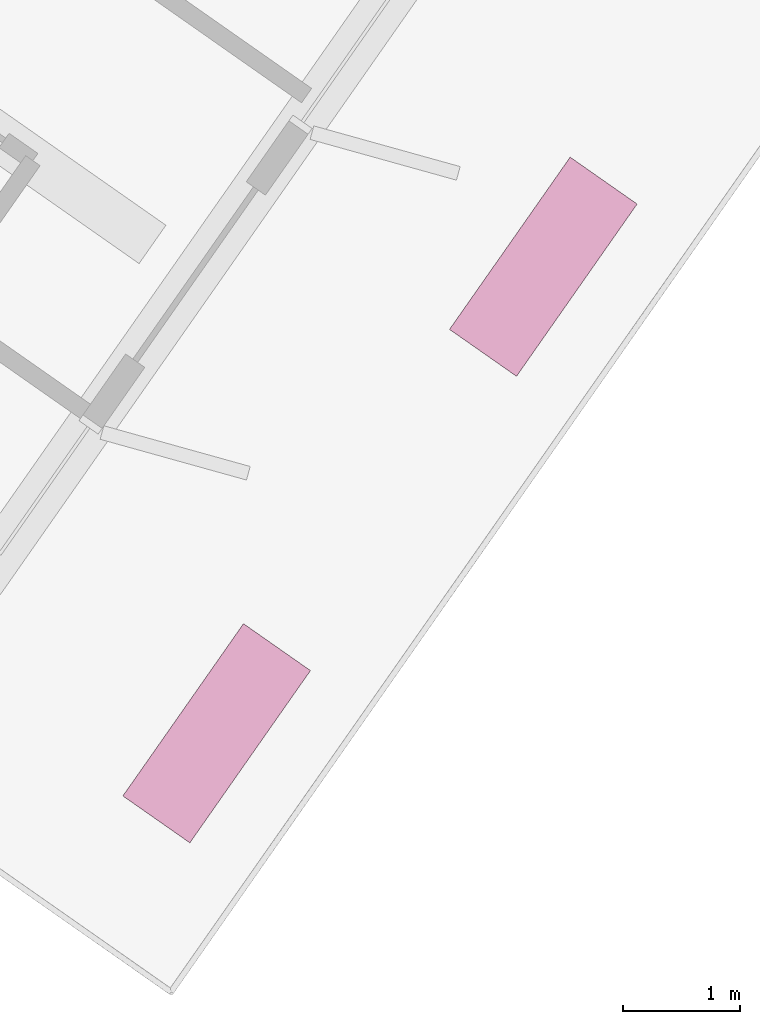
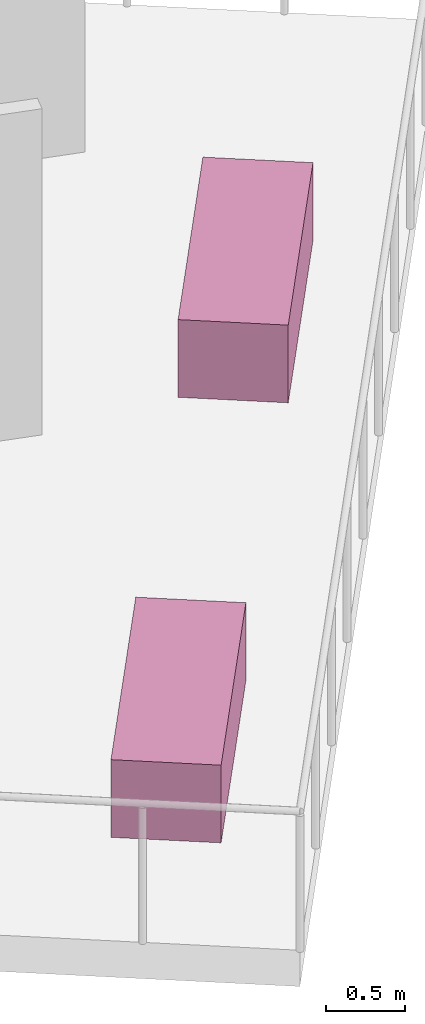
# One storey, part 18 of 18: 2 furniture elements.
"""IFC4 building model written with IfcOpenShell, lengths in metres."""

import ifcopenshell
import ifcopenshell.guid

model = None  # the IFC model being written
_history = None  # IfcOwnerHistory: only IFC2X3 demands one
_inside = {}  # id of a spatial element -> (the spatial element, [elements in it])
_under = {}  # id of a project, library or spatial element -> (it, [spatial elements below it])
_declared = {}  # id of a project -> (the project, [libraries it declares])
_typed = {}  # id of a type object -> (the type object, [elements of that type])
_made_of = {}  # id of a material, layer set ... -> (it, [elements and type objects made of it])


def new_model(schema):
    """Start an empty IFC model of exactly this schema.

    Asked for "IFC4X3", IfcOpenShell would pick the latest addendum, in which some entities
    have other attributes; the version numbers below select the first issue.
    IFC2X3 requires an IfcOwnerHistory on every rooted entity: one is made here for all.
    """
    global model, _history
    if schema == "IFC4X3":
        model = ifcopenshell.file(schema_version=(4, 3, 0, 0))
    else:
        model = ifcopenshell.file(schema=schema)
    _inside.clear()
    _under.clear()
    _declared.clear()
    _typed.clear()
    _made_of.clear()
    _history = None
    if model.schema == "IFC2X3":
        org = make("IfcOrganization", Name="unknown")
        user = make(
            "IfcPersonAndOrganization",
            ThePerson=make("IfcPerson", FamilyName="unknown"),
            TheOrganization=org,
        )
        app = make(
            "IfcApplication",
            ApplicationDeveloper=org,
            Version="unknown",
            ApplicationFullName="unknown",
            ApplicationIdentifier="unknown",
        )
        _history = make(
            "IfcOwnerHistory",
            OwningUser=user,
            OwningApplication=app,
            ChangeAction="ADDED",
            CreationDate=0,
        )
    return model


def make(cls, **values):
    """One entity of the class cls with the attributes given. An attribute that is None is left unset."""
    return model.create_entity(
        cls, **{name: value for name, value in values.items() if value is not None}
    )


def rooted(cls, **values):
    """An entity with a GlobalId (a new one), such as an element, a storey or a relation."""
    return make(cls, GlobalId=ifcopenshell.guid.new(), OwnerHistory=_history, **values)


def si_unit(unit_type, name, prefix=None):
    """IfcSIUnit, for example si_unit("LENGTHUNIT", "METRE", prefix="MILLI")."""
    return make("IfcSIUnit", UnitType=unit_type, Prefix=prefix, Name=name)


def assignment(units):
    """IfcUnitAssignment: the units of a project."""
    return None if units is None else make("IfcUnitAssignment", Units=units)


def point(xyz):
    """IfcCartesianPoint."""
    return None if xyz is None else make("IfcCartesianPoint", Coordinates=xyz)


def direction(xyz):
    """IfcDirection."""
    return None if xyz is None else make("IfcDirection", DirectionRatios=xyz)


def frame(location, z_axis=None, x_axis=None):
    """IfcAxis2Placement3D, a coordinate frame: its origin and axes. An axis left out is left unset."""
    return make(
        "IfcAxis2Placement3D",
        Location=point(location),
        Axis=direction(z_axis),
        RefDirection=direction(x_axis),
    )


def frame_2d(location, x_axis=None):
    """IfcAxis2Placement2D, a coordinate frame in the plane: its origin and x axis."""
    return make(
        "IfcAxis2Placement2D", Location=point(location), RefDirection=direction(x_axis)
    )


def origin():
    """The frame at (0, 0, 0) with its axes left unset."""
    return frame((0.0, 0.0, 0.0))


def origin_2d():
    """The frame at (0, 0) in the plane with its x axis left unset."""
    return frame_2d((0.0, 0.0))


def place(relative_to, where):
    """IfcLocalPlacement: puts the frame where relative to a parent placement (None: the world)."""
    return make(
        "IfcLocalPlacement", PlacementRelTo=relative_to, RelativePlacement=where
    )


def context(
    kind, dimensions, precision=None, world=None, true_north=None, identifier=None
):
    """IfcGeometricRepresentationContext, for example the 3D "Model" context."""
    return make(
        "IfcGeometricRepresentationContext",
        ContextIdentifier=identifier,
        ContextType=kind,
        CoordinateSpaceDimension=dimensions,
        Precision=precision,
        WorldCoordinateSystem=world,
        TrueNorth=true_north,
    )


def subcontext(parent, identifier, kind, view, scale=None):
    """IfcGeometricRepresentationSubContext, for example "Body" below "Model"."""
    return make(
        "IfcGeometricRepresentationSubContext",
        ContextIdentifier=identifier,
        ContextType=kind,
        ParentContext=parent,
        TargetScale=scale,
        TargetView=view,
    )


def project(units=None, contexts=None):
    """IfcProject with its units and contexts."""
    return rooted(
        "IfcProject",
        Name="project",
        RepresentationContexts=contexts,
        UnitsInContext=assignment(units),
    )


def spatial(cls, under=None, at=None, **own):
    """A site, building, storey or space (cls), placed at a placement, below another one or the project."""
    s = rooted(cls, ObjectPlacement=at, **own)
    if under is not None:
        _under.setdefault(under.id(), (under, []))[1].append(s)
    return s


def profile(cls, at=None, kind="AREA", **sizes):
    """A parametric profile (cls). Its sizes go by their IFC names, for example OverallWidth=200.0."""
    return make(cls, ProfileType=kind, Position=at, **sizes)


def rectangle(**sizes):
    """IfcRectangleProfileDef."""
    return profile("IfcRectangleProfileDef", **sizes)


def extrude(swept, where, along, depth):
    """IfcExtrudedAreaSolid: the profile swept, set in the frame where, extruded along a direction by depth."""
    return make(
        "IfcExtrudedAreaSolid",
        SweptArea=swept,
        Position=where,
        ExtrudedDirection=direction(along),
        Depth=depth,
    )


def shape(context_of_items, identifier, shape_type, items):
    """IfcShapeRepresentation: the items that make up one representation, for example the "Body"."""
    return make(
        "IfcShapeRepresentation",
        ContextOfItems=context_of_items,
        RepresentationIdentifier=identifier,
        RepresentationType=shape_type,
        Items=items,
    )


def material(Name=None, Category=None):
    """IfcMaterial."""
    return make("IfcMaterial", Name=Name, Category=Category)


def made_of(thing, what):
    """Note that an element or type object is made of a material, layer set ...; save() writes the relation."""
    if what is not None:
        _made_of.setdefault(what.id(), (what, []))[1].append(thing)
    return thing


def type_object(cls, material=None, **own):
    """A type object (cls), such as IfcWallType, which elements share."""
    return made_of(rooted(cls, **own), material)


def element(
    cls,
    number,
    at=None,
    inside=None,
    cuts=None,
    type_object=None,
    material=None,
    context=None,
    identifier="Body",
    shape_type=None,
    held_by="IfcProductDefinitionShape",
    body=None,
    shapes=None,
    **own,
):
    """One element of the class cls, such as IfcWall. Its Tag is "e" and its number.

    at: its placement. inside: the storey or other place that contains it. cuts: it is an
    opening in that element (IfcRelVoidsElement). A single representation is given by context,
    identifier, shape_type and body (its items); several are given by shapes. held_by: the class
    of the entity that holds the representations. save() writes the other relations.
    """
    e = rooted(cls, Tag="e%d" % number, ObjectPlacement=at, **own)
    if body is not None:
        shapes = [shape(context, identifier, shape_type, body)]
    if shapes is not None:
        e.Representation = make(held_by, Representations=shapes)
    if inside is not None:
        _inside.setdefault(inside.id(), (inside, []))[1].append(e)
    if cuts is not None:
        rooted(
            "IfcRelVoidsElement", RelatingBuildingElement=cuts, RelatedOpeningElement=e
        )
    if type_object is not None:
        _typed.setdefault(type_object.id(), (type_object, []))[1].append(e)
    return made_of(e, material)


def aggregate(whole, parts):
    """IfcRelAggregates: a whole, such as a stair, and the parts it consists of."""
    return rooted("IfcRelAggregates", RelatingObject=whole, RelatedObjects=parts)


def save(model, path):
    """Write the relations noted so far, then the file.

    IfcRelAggregates (storeys below a building ...), IfcRelContainedInSpatialStructure (elements
    in a storey), IfcRelDefinesByType, IfcRelAssociatesMaterial and IfcRelDeclares: one each for
    every whole, place, type object, material and project.
    """
    for whole, parts in _under.values():
        aggregate(whole, parts)
    for where, things in _inside.values():
        rooted(
            "IfcRelContainedInSpatialStructure",
            RelatedElements=things,
            RelatingStructure=where,
        )
    for kind, things in _typed.values():
        rooted("IfcRelDefinesByType", RelatedObjects=things, RelatingType=kind)
    for what, things in _made_of.values():
        rooted("IfcRelAssociatesMaterial", RelatedObjects=things, RelatingMaterial=what)
    for by, libraries in _declared.values():
        rooted("IfcRelDeclares", RelatingContext=by, RelatedDefinitions=libraries)
    model.write(path)


model = new_model("IFC4")

# Units and contexts
model_context = context("Model", 3, precision=1e-05, world=origin(), true_north=direction((0.0, 1.0)))
body_context = subcontext(model_context, "Body", "Model", "MODEL_VIEW")
ifc_project = project(units=[si_unit("LENGTHUNIT", "METRE"), si_unit("AREAUNIT", "SQUARE_METRE"), si_unit("VOLUMEUNIT", "CUBIC_METRE"), si_unit("PLANEANGLEUNIT", "RADIAN"), si_unit("MASSUNIT", "GRAM", prefix="KILO")], contexts=[model_context])

# Site, building, storey
site_placement = place(None, origin())
site = spatial("IfcSite", under=ifc_project, at=site_placement, CompositionType="ELEMENT")
building_placement = place(site_placement, origin())
building = spatial("IfcBuilding", under=site, at=building_placement, Name="Tel Ilan Convention Tower", CompositionType="ELEMENT")
storey_placement = place(building_placement, frame((0.0, 0.0, 272.199951171875)))
storey = spatial("IfcBuildingStorey", under=building, at=storey_placement, Name="L64", CompositionType="ELEMENT", Elevation=272.199951171875)

# Furniture
ifc_material = material(Name="Concrete C30/37", Category="concrete")
furniture_type = type_object("IfcFurnitureType", Name="PLANTER 1800x700", AssemblyPlace="NOTDEFINED", PredefinedType="NOTDEFINED", material=ifc_material)
for number, where, z_axis, x_axis, name in (
    (1, (29.14013671875, -21.670654296875, 0.0), (0.0, 0.0, 1.0), (-0.573576436351, -0.819152044289, 0.0), "PLANTER"),
    (2, (26.343994140625, -25.6640625, 0.0), (0.0, 0.0, 1.0), (-0.573576436351, -0.819152044289, 0.0), "PLANTER"),
):
    element("IfcFurniture", number, at=place(storey_placement, frame(where, z_axis=z_axis, x_axis=x_axis)), inside=storey, type_object=furniture_type, Name=name, PredefinedType="NOTDEFINED", context=body_context, shape_type="SweptSolid", body=[
        extrude(rectangle(XDim=1.800048828125, YDim=0.699951171875, at=origin_2d()), origin(), (0.0, 0.0, 1.0), 0.60009765625),
    ])

save(model, "model.ifc")
